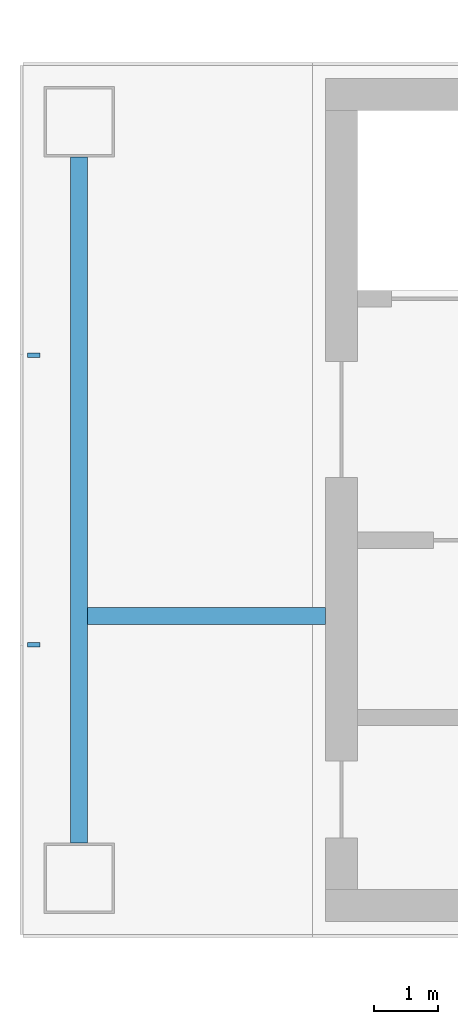
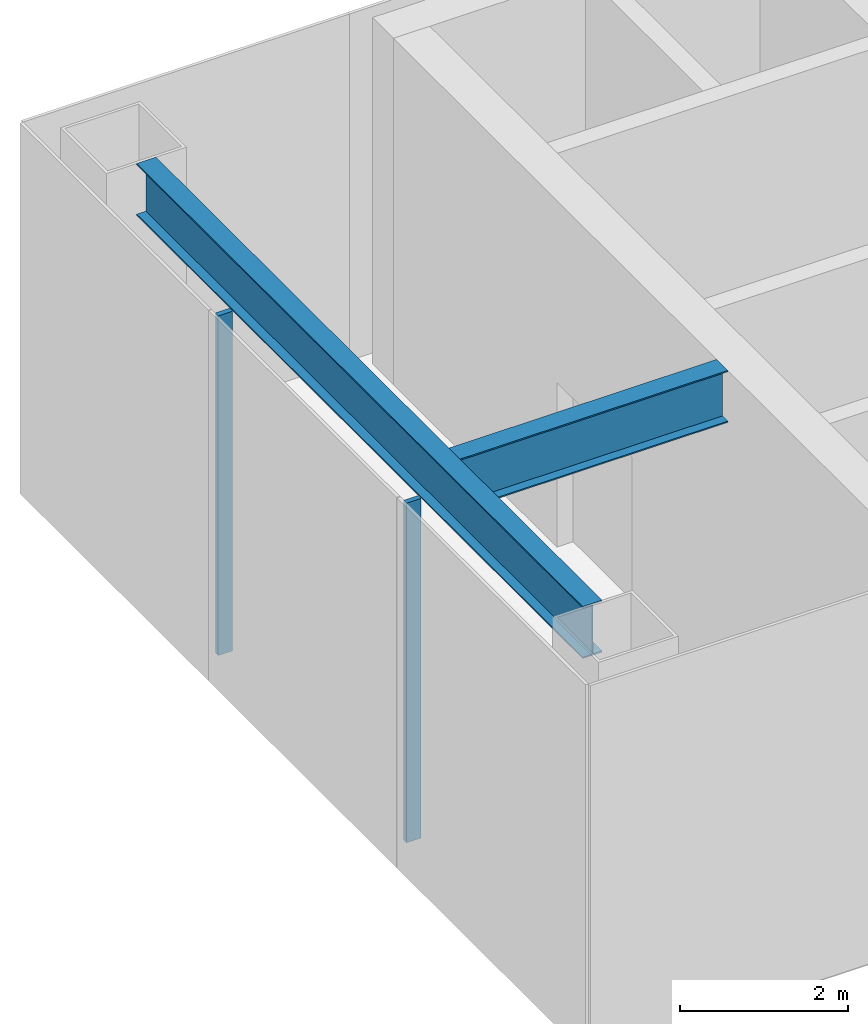
# One storey, part 3 of 15: 2 beams, 2 members, 1 element without a shape of its own.
"""IFC4 building model written with IfcOpenShell, lengths in metres."""

from ifc_helpers import new_model, si_unit, direction, frame, origin, origin_2d, place, context, subcontext, project, spatial, rectangle, i_section, extrude, material, layer, layer_set, material_profile, profile_set, type_object, element, aggregate, save


model = new_model("IFC4")

# Units and contexts
model_context = context("Model", 3, precision=1e-05, world=origin(), true_north=direction((0.0, 1.0)))
body_context = subcontext(model_context, "Body", "Model", "MODEL_VIEW")
ifc_project = project(units=[si_unit("LENGTHUNIT", "METRE"), si_unit("AREAUNIT", "SQUARE_METRE"), si_unit("VOLUMEUNIT", "CUBIC_METRE"), si_unit("PLANEANGLEUNIT", "RADIAN"), si_unit("MASSUNIT", "GRAM", prefix="KILO")], contexts=[model_context])

# Site, building, storey
site_placement = place(None, origin())
site = spatial("IfcSite", under=ifc_project, at=site_placement, CompositionType="ELEMENT")
building_placement = place(site_placement, origin())
building = spatial("IfcBuilding", under=site, at=building_placement, Name="Shamsa Quay Exchange Towers", CompositionType="ELEMENT")
storey_placement = place(building_placement, frame((0.0, 0.0, 133.5)))
storey = spatial("IfcBuildingStorey", under=building, at=storey_placement, Name="L31", CompositionType="ELEMENT", Elevation=133.5)

# Curtain wall, members
ifc_material_1 = material(Name="Aluminium EN AW-6063 T6, black anodised", Category="aluminium")
ifc_layer = layer(ifc_material_1, 0.31396484375)
ifc_layer_set = layer_set([ifc_layer], Name="CW-6 TALL STOREY GLAZING")
curtain_wall_type = type_object("IfcCurtainWallType", Name="CW-6 TALL STOREY GLAZING", PredefinedType="NOTDEFINED", material=ifc_layer_set)
curtain_wall_placement = place(storey_placement, origin())
curtain_wall = element("IfcCurtainWall", 1, at=curtain_wall_placement, inside=storey, type_object=curtain_wall_type, Name="CW6 T1-END-U- L31", PredefinedType="NOTDEFINED")
ifc_material_profile_1 = material_profile(ifc_material_1, rectangle(XDim=0.199951171875, YDim=0.070068359375, at=origin_2d()), Name="MU70x200")
ifc_profile_set_1 = profile_set([ifc_material_profile_1], Name="Aluminium EN AW-6063 T6, black anodised")
member_type = type_object("IfcMemberType", Name="CW6 MULLION 70x200", PredefinedType="MULLION", material=ifc_profile_set_1)
member_1_placement = place(storey_placement, frame((-58.330078125, 2.25, 0.0)))
member_1 = element("IfcMember", 2, at=member_1_placement, type_object=member_type, Name="CW6 mullion", PredefinedType="MULLION", context=body_context, shape_type="SweptSolid", body=[
    extrude(rectangle(XDim=0.199951171875, YDim=0.070068359375, at=origin_2d()), origin(), (0.0, 0.0, 1.0), 4.949951171875),
])
member_2_placement = place(storey_placement, frame((-58.330078125, -2.25, 0.0)))
member_2 = element("IfcMember", 3, at=member_2_placement, type_object=member_type, Name="CW6 mullion", PredefinedType="MULLION", context=body_context, shape_type="SweptSolid", body=[
    extrude(rectangle(XDim=0.199951171875, YDim=0.070068359375, at=origin_2d()), origin(), (0.0, 0.0, 1.0), 4.949951171875),
])
aggregate(curtain_wall, [member_1, member_2])

# Beams
ifc_material_2 = material(Name="Steel S355", Category="steel")
ifc_material_profile_2 = material_profile(ifc_material_2, i_section(OverallWidth=0.26611328125, OverallDepth=0.7578125, WebThickness=0.013916015625, FlangeThickness=0.019287109375, at=origin_2d()), Name="W30x108")
ifc_profile_set_2 = profile_set([ifc_material_profile_2], Name="Steel S355")
beam_type = type_object("IfcBeamType", Name="End-zone beam W30x108", PredefinedType="BEAM", material=ifc_profile_set_2)
beam_1_placement = place(storey_placement, frame((-57.625, -5.324951171875, 4.671142578125), z_axis=(0.0, 1.0, 0.0), x_axis=(-1.0, 0.0, 0.0)))
element("IfcBeam", 4, at=beam_1_placement, inside=storey, type_object=beam_type, Name="End beam T1 U- end zone L31", PredefinedType="BEAM", context=body_context, shape_type="SweptSolid", body=[
    extrude(i_section(OverallWidth=0.26611328125, OverallDepth=0.7578125, WebThickness=0.013916015625, FlangeThickness=0.019287109375, at=origin_2d()), origin(), (0.0, 0.0, 1.0), 10.64990234375),
])
beam_2_placement = place(storey_placement, frame((-53.800048828125, -1.800048828125, 4.671142578125), z_axis=(-1.0, 0.0, 0.0), x_axis=(0.0, -1.0, 0.0)))
element("IfcBeam", 5, at=beam_2_placement, inside=storey, type_object=beam_type, Name="Spine beam T1 U- end zone L31", PredefinedType="BEAM", context=body_context, shape_type="SweptSolid", body=[
    extrude(i_section(OverallWidth=0.26611328125, OverallDepth=0.7578125, WebThickness=0.013916015625, FlangeThickness=0.019287109375, at=origin_2d()), origin(), (0.0, 0.0, 1.0), 3.69189453125),
])

save(model, "model.ifc")
